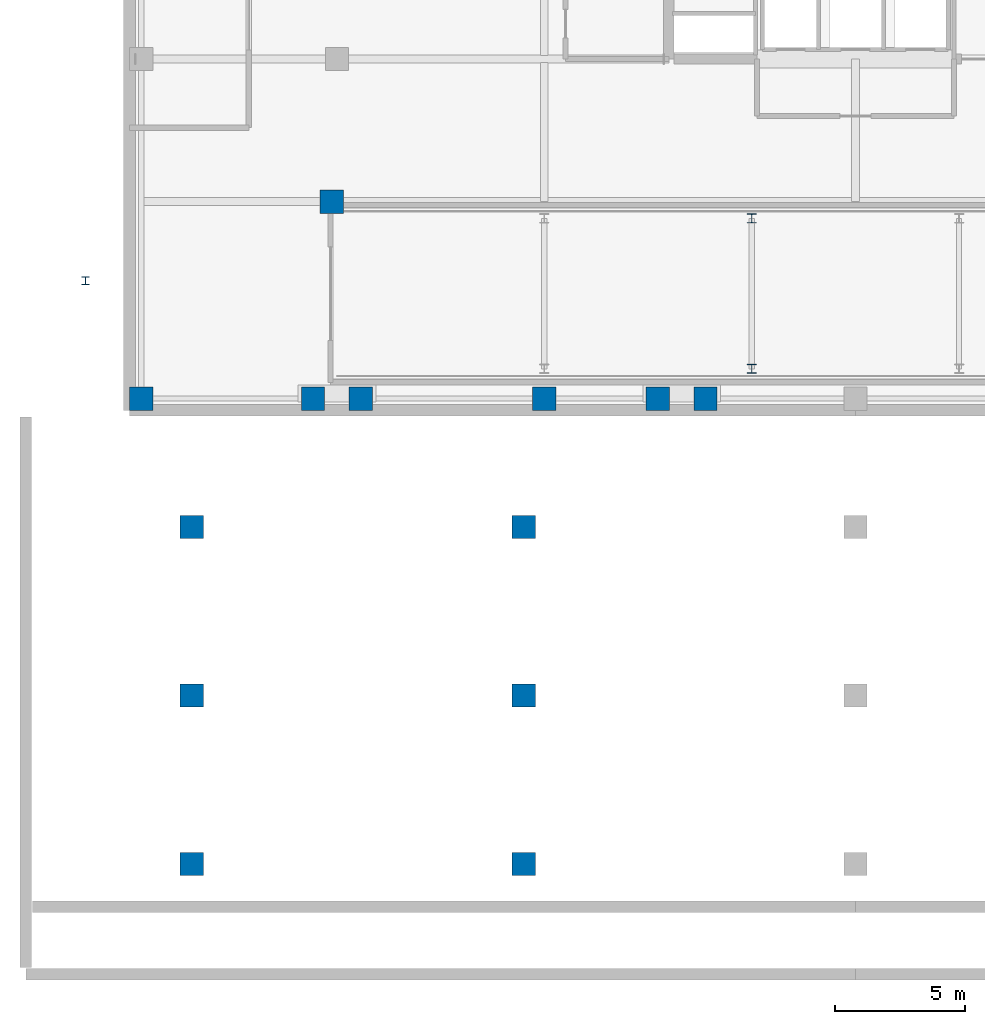
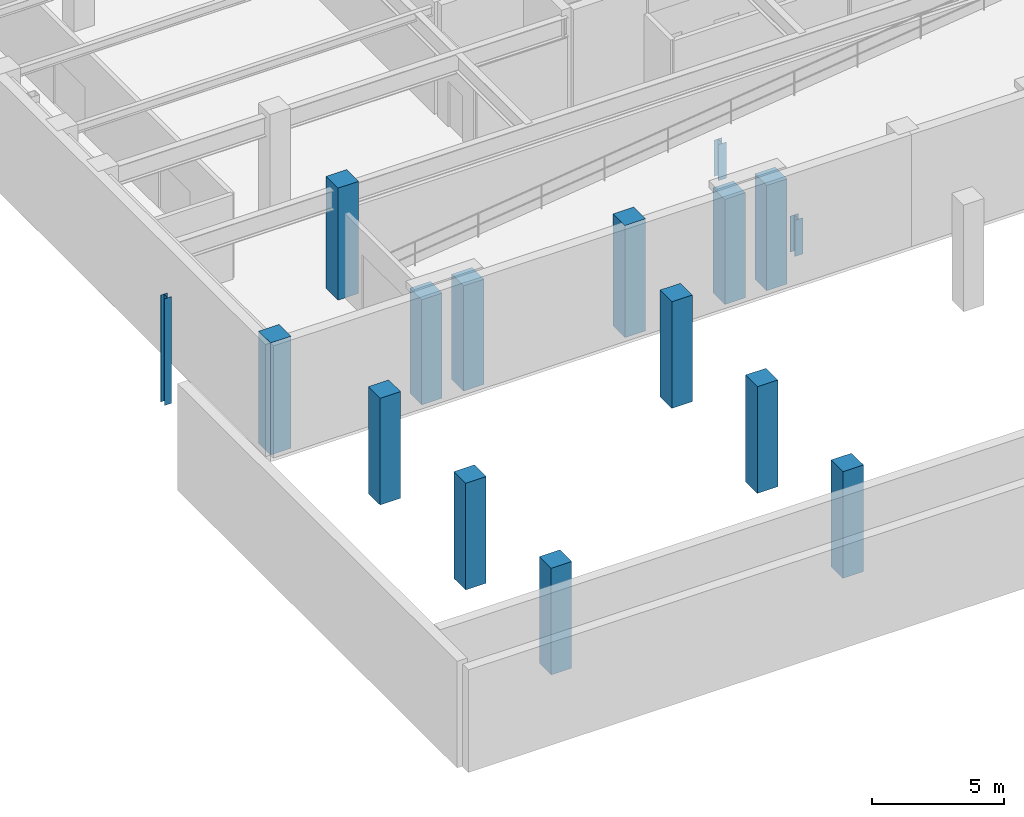
# One storey, part 1 of 16: 16 columns.
"""IFC4 building model written with IfcOpenShell, lengths in metres."""

from ifc_helpers import new_model, si_unit, direction, frame, origin, origin_2d, place, context, subcontext, project, spatial, rectangle, i_section, extrude, material, material_profile, profile_set, type_object, element, save


model = new_model("IFC4")

# Units and contexts
model_context = context("Model", 3, precision=1e-05, world=origin(), true_north=direction((0.0, 1.0)))
body_context = subcontext(model_context, "Body", "Model", "MODEL_VIEW")
ifc_project = project(units=[si_unit("LENGTHUNIT", "METRE"), si_unit("AREAUNIT", "SQUARE_METRE"), si_unit("VOLUMEUNIT", "CUBIC_METRE"), si_unit("PLANEANGLEUNIT", "RADIAN"), si_unit("MASSUNIT", "GRAM", prefix="KILO")], contexts=[model_context])

# Site, building, storey
site_placement = place(None, origin())
site = spatial("IfcSite", under=ifc_project, at=site_placement, CompositionType="ELEMENT")
building_placement = place(site_placement, origin())
building = spatial("IfcBuilding", under=site, at=building_placement, Name="Veldorina Hangang Commons", CompositionType="ELEMENT")
storey_placement = place(building_placement, frame((0.0, 0.0, -5.199951171875)))
storey = spatial("IfcBuildingStorey", under=building, at=storey_placement, Name="B01", CompositionType="ELEMENT", Elevation=-5.199951171875)

# Columns
ifc_material_1 = material(Name="Steel SM355-TMC", Category="steel")
ifc_material_profile_1 = material_profile(ifc_material_1, i_section(OverallWidth=0.300048828125, OverallDepth=0.300048828125, WebThickness=0.010009765625, FlangeThickness=0.014892578125, FilletRadius=0.012939453125, at=origin_2d()), Name="H-300x300x10x15")
ifc_profile_set_1 = profile_set([ifc_material_profile_1], Name="Steel SM355-TMC")
column_type_1 = type_object("IfcColumnType", Name="COL-H300", PredefinedType="COLUMN", material=ifc_profile_set_1)
column_1_placement = place(storey_placement, frame((2.300048828125, 8.0, 0.0), z_axis=(0.0, 0.0, 1.0), x_axis=(1.0, 0.0, 0.0)))
element("IfcColumn", 1, at=column_1_placement, inside=storey, type_object=column_type_1, Name="B01 walkway support pier WEST1", PredefinedType="COLUMN", context=body_context, shape_type="SweptSolid", body=[
    extrude(i_section(OverallWidth=0.300048828125, OverallDepth=0.300048828125, WebThickness=0.010009765625, FlangeThickness=0.014892578125, FilletRadius=0.012939453125, at=origin_2d()), origin(), (0.0, 0.0, 1.0), 4.949951171875),
])
ifc_material_2 = material(Name="Steel SM420-TMC", Category="steel")
ifc_material_profile_2 = material_profile(ifc_material_2, i_section(OverallWidth=0.35009765625, OverallDepth=0.35009765625, WebThickness=0.011962890625, FlangeThickness=0.01904296875, FilletRadius=0.01611328125, at=origin_2d()), Name="H-350x350x12x19")
ifc_profile_set_2 = profile_set([ifc_material_profile_2], Name="Steel SM420-TMC")
column_type_2 = type_object("IfcColumnType", Name="COL-H350", PredefinedType="COLUMN", material=ifc_profile_set_2)
for number, where, z_axis, x_axis, name in (
    (2, (28.0, 4.60009765625, 0.0), (0.0, 0.0, 1.0), (1.0, 0.0, 0.0), "B01 vehicle ramp support column 2S"),
    (3, (28.0, 10.39990234375, 0.0), (0.0, 0.0, 1.0), (1.0, 0.0, 0.0), "B01 vehicle ramp support column 2N"),
):
    element("IfcColumn", number, at=place(storey_placement, frame(where, z_axis=z_axis, x_axis=x_axis)), inside=storey, type_object=column_type_2, Name=name, PredefinedType="COLUMN", context=body_context, shape_type="SweptSolid", body=[
        extrude(i_section(OverallWidth=0.35009765625, OverallDepth=0.35009765625, WebThickness=0.011962890625, FlangeThickness=0.01904296875, FilletRadius=0.01611328125, at=origin_2d()), origin(), (0.0, 0.0, 1.0), 1.67431640625),
    ])
ifc_material_3 = material(Name="Concrete C50/60", Category="concrete")
ifc_material_profile_3 = material_profile(ifc_material_3, rectangle(XDim=0.89990234375, YDim=0.89990234375, at=origin_2d()), Name="RC-COL-900x900")
ifc_profile_set_3 = profile_set([ifc_material_profile_3], Name="Concrete C50/60")
column_type_3 = type_object("IfcColumnType", Name="COL-RC900", PredefinedType="COLUMN", material=ifc_profile_set_3)
for number, where, z_axis, x_axis, name in (
    (4, (6.39990234375, -14.5, 0.0), (0.0, 0.0, 1.0), (1.0, 0.0, 0.0), "B01 promenade substructure column 11"),
    (5, (19.199951171875, -14.5, 0.0), (0.0, 0.0, 1.0), (1.0, 0.0, 0.0), "B01 promenade substructure column 12"),
    (6, (6.39990234375, -8.0, 0.0), (0.0, 0.0, 1.0), (1.0, 0.0, 0.0), "B01 promenade substructure column 21"),
    (7, (19.199951171875, -8.0, 0.0), (0.0, 0.0, 1.0), (1.0, 0.0, 0.0), "B01 promenade substructure column 22"),
    (8, (6.39990234375, -1.5, 0.0), (0.0, 0.0, 1.0), (1.0, 0.0, 0.0), "B01 promenade substructure column 31"),
    (9, (19.199951171875, -1.5, 0.0), (0.0, 0.0, 1.0), (1.0, 0.0, 0.0), "B01 promenade substructure column 32"),
):
    element("IfcColumn", number, at=place(storey_placement, frame(where, z_axis=z_axis, x_axis=x_axis)), inside=storey, type_object=column_type_3, Name=name, PredefinedType="COLUMN", context=body_context, shape_type="SweptSolid", body=[
        extrude(rectangle(XDim=0.89990234375, YDim=0.89990234375, at=origin_2d()), origin(), (0.0, 0.0, 1.0), 4.949951171875),
    ])
for number, where, z_axis, x_axis, name in (
    (10, (4.449951171875, 3.449951171875, 0.0), (0.0, 0.0, 1.0), (1.0, 0.0, 0.0), "B01 structural column S1"),
    (11, (20.0, 3.449951171875, 0.0), (0.0, 0.0, 1.0), (1.0, 0.0, 0.0), "B01 structural column S3"),
):
    element("IfcColumn", number, at=place(storey_placement, frame(where, z_axis=z_axis, x_axis=x_axis)), inside=storey, type_object=column_type_3, Name=name, PredefinedType="COLUMN", context=body_context, shape_type="SweptSolid", body=[
        extrude(rectangle(XDim=0.89990234375, YDim=0.89990234375, at=origin_2d()), origin(), (0.0, 0.0, 1.0), 5.199951171875),
    ])
for number, where, z_axis, x_axis, name in (
    (12, (11.080078125, 3.449951171875, 0.0), (0.0, 0.0, 1.0), (1.0, 0.0, 0.0), "B01 structural column VC-1L"),
    (13, (12.919921875, 3.449951171875, 0.0), (0.0, 0.0, 1.0), (1.0, 0.0, 0.0), "B01 structural column VC-1R"),
    (14, (24.3798828125, 3.449951171875, 0.0), (0.0, 0.0, 1.0), (1.0, 0.0, 0.0), "B01 structural column VC-2L"),
    (15, (26.219970703125, 3.449951171875, 0.0), (0.0, 0.0, 1.0), (1.0, 0.0, 0.0), "B01 structural column VC-2R"),
):
    element("IfcColumn", number, at=place(storey_placement, frame(where, z_axis=z_axis, x_axis=x_axis)), inside=storey, type_object=column_type_3, Name=name, PredefinedType="COLUMN", context=body_context, shape_type="SweptSolid", body=[
        extrude(rectangle(XDim=0.89990234375, YDim=0.89990234375, at=origin_2d()), origin(), (0.0, 0.0, 1.0), 4.8798828125),
    ])
column_2_placement = place(storey_placement, frame((11.800048828125, 11.050048828125, 0.0), z_axis=(0.0, 0.0, 1.0), x_axis=(1.0, 0.0, 0.0)))
element("IfcColumn", 16, at=column_2_placement, inside=storey, type_object=column_type_3, Name="B01 structural column BM5", PredefinedType="COLUMN", context=body_context, shape_type="SweptSolid", body=[
    extrude(rectangle(XDim=0.89990234375, YDim=0.89990234375, at=origin_2d()), origin(), (0.0, 0.0, 1.0), 5.199951171875),
])

save(model, "model.ifc")
